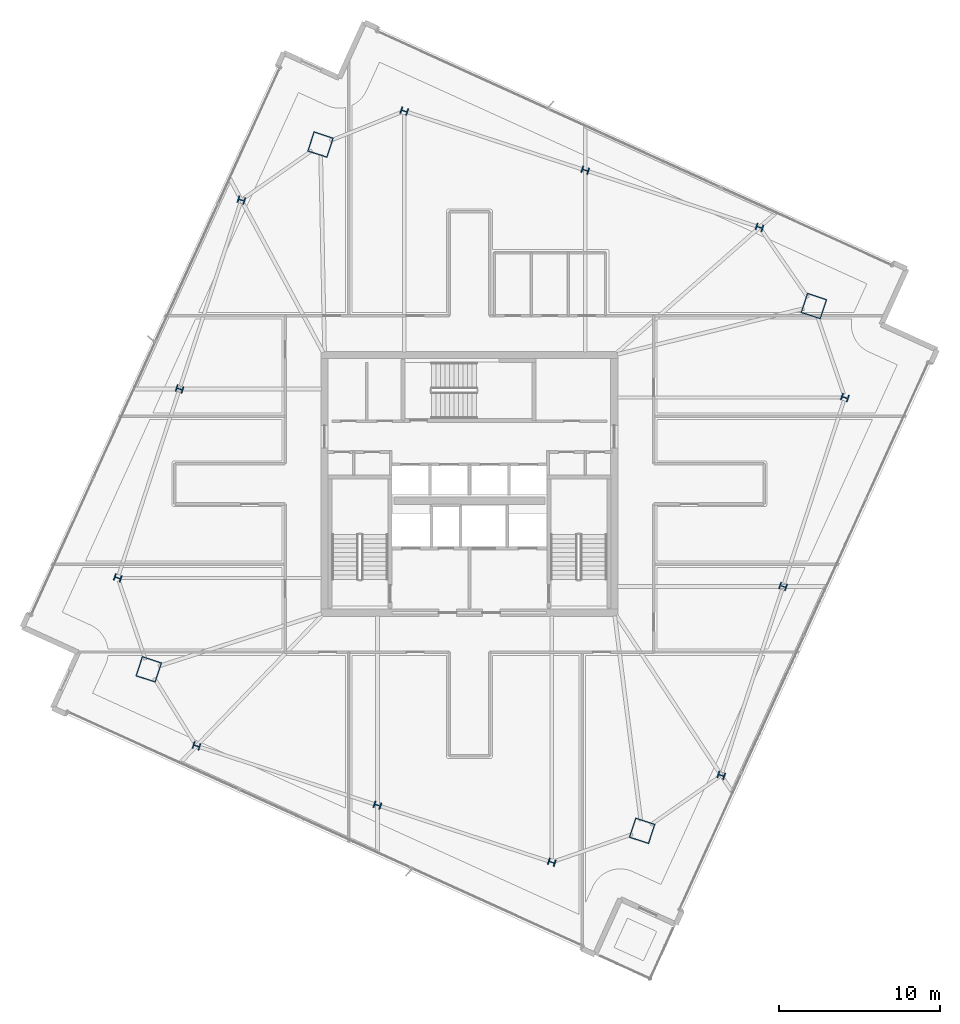
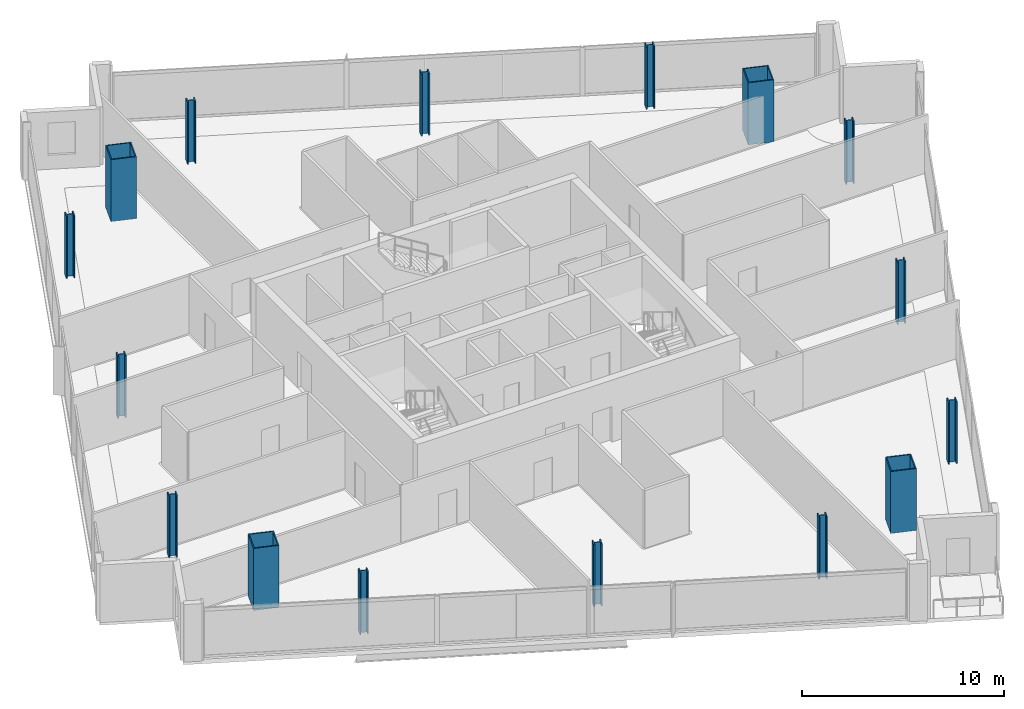
# One storey, part 1 of 26: 16 columns.
"""IFC4 building model written with IfcOpenShell, lengths in metres."""

import ifcopenshell
import ifcopenshell.guid

model = None  # the IFC model being written
_history = None  # IfcOwnerHistory: only IFC2X3 demands one
_inside = {}  # id of a spatial element -> (the spatial element, [elements in it])
_under = {}  # id of a project, library or spatial element -> (it, [spatial elements below it])
_declared = {}  # id of a project -> (the project, [libraries it declares])
_typed = {}  # id of a type object -> (the type object, [elements of that type])
_made_of = {}  # id of a material, layer set ... -> (it, [elements and type objects made of it])


def new_model(schema):
    """Start an empty IFC model of exactly this schema.

    Asked for "IFC4X3", IfcOpenShell would pick the latest addendum, in which some entities
    have other attributes; the version numbers below select the first issue.
    IFC2X3 requires an IfcOwnerHistory on every rooted entity: one is made here for all.
    """
    global model, _history
    if schema == "IFC4X3":
        model = ifcopenshell.file(schema_version=(4, 3, 0, 0))
    else:
        model = ifcopenshell.file(schema=schema)
    _inside.clear()
    _under.clear()
    _declared.clear()
    _typed.clear()
    _made_of.clear()
    _history = None
    if model.schema == "IFC2X3":
        org = make("IfcOrganization", Name="unknown")
        user = make(
            "IfcPersonAndOrganization",
            ThePerson=make("IfcPerson", FamilyName="unknown"),
            TheOrganization=org,
        )
        app = make(
            "IfcApplication",
            ApplicationDeveloper=org,
            Version="unknown",
            ApplicationFullName="unknown",
            ApplicationIdentifier="unknown",
        )
        _history = make(
            "IfcOwnerHistory",
            OwningUser=user,
            OwningApplication=app,
            ChangeAction="ADDED",
            CreationDate=0,
        )
    return model


def make(cls, **values):
    """One entity of the class cls with the attributes given. An attribute that is None is left unset."""
    return model.create_entity(
        cls, **{name: value for name, value in values.items() if value is not None}
    )


def rooted(cls, **values):
    """An entity with a GlobalId (a new one), such as an element, a storey or a relation."""
    return make(cls, GlobalId=ifcopenshell.guid.new(), OwnerHistory=_history, **values)


def si_unit(unit_type, name, prefix=None):
    """IfcSIUnit, for example si_unit("LENGTHUNIT", "METRE", prefix="MILLI")."""
    return make("IfcSIUnit", UnitType=unit_type, Prefix=prefix, Name=name)


def assignment(units):
    """IfcUnitAssignment: the units of a project."""
    return None if units is None else make("IfcUnitAssignment", Units=units)


def point(xyz):
    """IfcCartesianPoint."""
    return None if xyz is None else make("IfcCartesianPoint", Coordinates=xyz)


def direction(xyz):
    """IfcDirection."""
    return None if xyz is None else make("IfcDirection", DirectionRatios=xyz)


def frame(location, z_axis=None, x_axis=None):
    """IfcAxis2Placement3D, a coordinate frame: its origin and axes. An axis left out is left unset."""
    return make(
        "IfcAxis2Placement3D",
        Location=point(location),
        Axis=direction(z_axis),
        RefDirection=direction(x_axis),
    )


def frame_2d(location, x_axis=None):
    """IfcAxis2Placement2D, a coordinate frame in the plane: its origin and x axis."""
    return make(
        "IfcAxis2Placement2D", Location=point(location), RefDirection=direction(x_axis)
    )


def origin():
    """The frame at (0, 0, 0) with its axes left unset."""
    return frame((0.0, 0.0, 0.0))


def origin_2d():
    """The frame at (0, 0) in the plane with its x axis left unset."""
    return frame_2d((0.0, 0.0))


def place(relative_to, where):
    """IfcLocalPlacement: puts the frame where relative to a parent placement (None: the world)."""
    return make(
        "IfcLocalPlacement", PlacementRelTo=relative_to, RelativePlacement=where
    )


def context(
    kind, dimensions, precision=None, world=None, true_north=None, identifier=None
):
    """IfcGeometricRepresentationContext, for example the 3D "Model" context."""
    return make(
        "IfcGeometricRepresentationContext",
        ContextIdentifier=identifier,
        ContextType=kind,
        CoordinateSpaceDimension=dimensions,
        Precision=precision,
        WorldCoordinateSystem=world,
        TrueNorth=true_north,
    )


def subcontext(parent, identifier, kind, view, scale=None):
    """IfcGeometricRepresentationSubContext, for example "Body" below "Model"."""
    return make(
        "IfcGeometricRepresentationSubContext",
        ContextIdentifier=identifier,
        ContextType=kind,
        ParentContext=parent,
        TargetScale=scale,
        TargetView=view,
    )


def project(units=None, contexts=None):
    """IfcProject with its units and contexts."""
    return rooted(
        "IfcProject",
        Name="project",
        RepresentationContexts=contexts,
        UnitsInContext=assignment(units),
    )


def spatial(cls, under=None, at=None, **own):
    """A site, building, storey or space (cls), placed at a placement, below another one or the project."""
    s = rooted(cls, ObjectPlacement=at, **own)
    if under is not None:
        _under.setdefault(under.id(), (under, []))[1].append(s)
    return s


def profile(cls, at=None, kind="AREA", **sizes):
    """A parametric profile (cls). Its sizes go by their IFC names, for example OverallWidth=200.0."""
    return make(cls, ProfileType=kind, Position=at, **sizes)


def hollow_rectangle(**sizes):
    """IfcRectangleHollowProfileDef."""
    return profile("IfcRectangleHollowProfileDef", **sizes)


def i_section(**sizes):
    """IfcIShapeProfileDef."""
    return profile("IfcIShapeProfileDef", **sizes)


def extrude(swept, where, along, depth):
    """IfcExtrudedAreaSolid: the profile swept, set in the frame where, extruded along a direction by depth."""
    return make(
        "IfcExtrudedAreaSolid",
        SweptArea=swept,
        Position=where,
        ExtrudedDirection=direction(along),
        Depth=depth,
    )


def shape(context_of_items, identifier, shape_type, items):
    """IfcShapeRepresentation: the items that make up one representation, for example the "Body"."""
    return make(
        "IfcShapeRepresentation",
        ContextOfItems=context_of_items,
        RepresentationIdentifier=identifier,
        RepresentationType=shape_type,
        Items=items,
    )


def material(Name=None, Category=None):
    """IfcMaterial."""
    return make("IfcMaterial", Name=Name, Category=Category)


def material_profile(
    of_material, cross_section, Name=None, Category=None, Priority=None
):
    """IfcMaterialProfile: a cross section and its material."""
    return make(
        "IfcMaterialProfile",
        Name=Name,
        Material=of_material,
        Profile=cross_section,
        Priority=Priority,
        Category=Category,
    )


def profile_set(profiles, Name=None, composite=None):
    """IfcMaterialProfileSet."""
    return make(
        "IfcMaterialProfileSet",
        Name=Name,
        MaterialProfiles=profiles,
        CompositeProfile=composite,
    )


def made_of(thing, what):
    """Note that an element or type object is made of a material, layer set ...; save() writes the relation."""
    if what is not None:
        _made_of.setdefault(what.id(), (what, []))[1].append(thing)
    return thing


def type_object(cls, material=None, **own):
    """A type object (cls), such as IfcWallType, which elements share."""
    return made_of(rooted(cls, **own), material)


def element(
    cls,
    number,
    at=None,
    inside=None,
    cuts=None,
    type_object=None,
    material=None,
    context=None,
    identifier="Body",
    shape_type=None,
    held_by="IfcProductDefinitionShape",
    body=None,
    shapes=None,
    **own,
):
    """One element of the class cls, such as IfcWall. Its Tag is "e" and its number.

    at: its placement. inside: the storey or other place that contains it. cuts: it is an
    opening in that element (IfcRelVoidsElement). A single representation is given by context,
    identifier, shape_type and body (its items); several are given by shapes. held_by: the class
    of the entity that holds the representations. save() writes the other relations.
    """
    e = rooted(cls, Tag="e%d" % number, ObjectPlacement=at, **own)
    if body is not None:
        shapes = [shape(context, identifier, shape_type, body)]
    if shapes is not None:
        e.Representation = make(held_by, Representations=shapes)
    if inside is not None:
        _inside.setdefault(inside.id(), (inside, []))[1].append(e)
    if cuts is not None:
        rooted(
            "IfcRelVoidsElement", RelatingBuildingElement=cuts, RelatedOpeningElement=e
        )
    if type_object is not None:
        _typed.setdefault(type_object.id(), (type_object, []))[1].append(e)
    return made_of(e, material)


def aggregate(whole, parts):
    """IfcRelAggregates: a whole, such as a stair, and the parts it consists of."""
    return rooted("IfcRelAggregates", RelatingObject=whole, RelatedObjects=parts)


def save(model, path):
    """Write the relations noted so far, then the file.

    IfcRelAggregates (storeys below a building ...), IfcRelContainedInSpatialStructure (elements
    in a storey), IfcRelDefinesByType, IfcRelAssociatesMaterial and IfcRelDeclares: one each for
    every whole, place, type object, material and project.
    """
    for whole, parts in _under.values():
        aggregate(whole, parts)
    for where, things in _inside.values():
        rooted(
            "IfcRelContainedInSpatialStructure",
            RelatedElements=things,
            RelatingStructure=where,
        )
    for kind, things in _typed.values():
        rooted("IfcRelDefinesByType", RelatedObjects=things, RelatingType=kind)
    for what, things in _made_of.values():
        rooted("IfcRelAssociatesMaterial", RelatedObjects=things, RelatingMaterial=what)
    for by, libraries in _declared.values():
        rooted("IfcRelDeclares", RelatingContext=by, RelatedDefinitions=libraries)
    model.write(path)


model = new_model("IFC4")

# Units and contexts
model_context = context("Model", 3, precision=1e-05, world=origin(), true_north=direction((0.0, 1.0)))
body_context = subcontext(model_context, "Body", "Model", "MODEL_VIEW")
ifc_project = project(units=[si_unit("LENGTHUNIT", "METRE"), si_unit("AREAUNIT", "SQUARE_METRE"), si_unit("VOLUMEUNIT", "CUBIC_METRE"), si_unit("PLANEANGLEUNIT", "RADIAN"), si_unit("MASSUNIT", "GRAM", prefix="KILO")], contexts=[model_context])

# Site, building, storey
site_placement = place(None, origin())
site = spatial("IfcSite", under=ifc_project, at=site_placement, CompositionType="ELEMENT")
building_placement = place(site_placement, origin())
building = spatial("IfcBuilding", under=site, at=building_placement, Name="Haldenkirk Collegiate Tower", CompositionType="ELEMENT")
storey_placement = place(building_placement, frame((0.0, 0.0, 248.699951171875)))
storey = spatial("IfcBuildingStorey", under=building, at=storey_placement, Name="L62", CompositionType="ELEMENT", Elevation=248.699951171875)

# Columns
ifc_material_1 = material(Name="Steel ASTM A913 Grade 65", Category="steel")
ifc_material_profile_1 = material_profile(ifc_material_1, i_section(OverallWidth=0.416015625, OverallDepth=0.445068359375, WebThickness=0.0390625, FlangeThickness=0.062744140625, at=origin_2d()), Name="W14X342")
ifc_profile_set_1 = profile_set([ifc_material_profile_1], Name="Steel ASTM A913 Grade 65")
column_type_1 = type_object("IfcColumnType", Name="COL-INT-W14X342", PredefinedType="COLUMN", material=ifc_profile_set_1)
for number, where, z_axis, x_axis, name in (
    (1, (51.64306640625, 7.888671875, 0.0), (0.0, 0.0, 1.0), (0.311008203279, 0.950407227189, 0.0), "L62 perimeter gravity column PC-S1"),
    (2, (55.4833984375, 19.624267578125, 0.0), (0.0, 0.0, 1.0), (0.311008203279, 0.950407227189, 0.0), "L62 perimeter gravity column PC-S2"),
    (3, (59.32373046875, 31.360107421875, 0.0), (0.0, 0.0, 1.0), (0.311008203279, 0.950407227189, 0.0), "L62 perimeter gravity column PC-S3"),
    (4, (54.01806640625, 41.9365234375, 0.0), (0.0, 0.0, 1.0), (0.311008203279, 0.950407227189, 0.0), "L62 perimeter gravity column PC-E1"),
    (5, (43.18994140625, 45.47998046875, 0.0), (0.0, 0.0, 1.0), (0.311008203279, 0.950407227189, 0.0), "L62 perimeter gravity column PC-E2"),
    (6, (31.949462890625, 49.158203125, 0.0), (0.0, 0.0, 1.0), (0.311008203279, 0.950407227189, 0.0), "L62 perimeter gravity column PC-E3"),
    (7, (21.830078125, 43.629150390625, 0.0), (0.0, 0.0, 1.0), (0.311008203279, 0.950407227189, 0.0), "L62 perimeter gravity column PC-N1"),
    (8, (17.98974609375, 31.8935546875, 0.0), (0.0, 0.0, 1.0), (0.311008203279, 0.950407227189, 0.0), "L62 perimeter gravity column PC-N2"),
    (9, (14.1494140625, 20.157958984375, 0.0), (0.0, 0.0, 1.0), (0.311008203279, 0.950407227189, 0.0), "L62 perimeter gravity column PC-N3"),
    (10, (19.042724609375, 9.71630859375, 0.0), (0.0, 0.0, 1.0), (0.311008203279, 0.950407227189, 0.0), "L62 perimeter gravity column PC-W1"),
    (11, (30.283203125, 6.0380859375, 0.0), (0.0, 0.0, 1.0), (0.311008203279, 0.950407227189, 0.0), "L62 perimeter gravity column PC-W2"),
    (12, (41.111083984375, 2.49462890625, 0.0), (0.0, 0.0, 1.0), (0.311008203279, 0.950407227189, 0.0), "L62 perimeter gravity column PC-W3"),
):
    element("IfcColumn", number, at=place(storey_placement, frame(where, z_axis=z_axis, x_axis=x_axis)), inside=storey, type_object=column_type_1, Name=name, PredefinedType="COLUMN", context=body_context, shape_type="SweptSolid", body=[
        extrude(i_section(OverallWidth=0.416015625, OverallDepth=0.445068359375, WebThickness=0.0390625, FlangeThickness=0.062744140625, at=origin_2d()), origin(), (0.0, 0.0, 1.0), 3.75),
    ])
ifc_material_2 = material(Name="Steel ASTM A572 Grade 50", Category="steel")
ifc_material_profile_2 = material_profile(ifc_material_2, hollow_rectangle(XDim=1.300048828125, YDim=1.300048828125, WallThickness=0.06005859375, at=origin_2d()), Name="BOX1300X1300X60")
ifc_profile_set_2 = profile_set([ifc_material_profile_2], Name="Steel ASTM A572 Grade 50")
column_type_2 = type_object("IfcColumnType", Name="COL-MEGA-BOX1300X1300X60", PredefinedType="COLUMN", material=ifc_profile_set_2)
for number, where, z_axis, x_axis, name in (
    (13, (46.72802734375, 4.444580078125, 0.0), (0.0, 0.0, 1.0), (0.311008203279, 0.950407227189, 0.0), "L62 corner mega-column MC1"),
    (14, (57.395751953125, 37.04345703125, 0.0), (0.0, 0.0, 1.0), (0.311008203279, 0.950407227189, 0.0), "L62 corner mega-column MC2"),
    (15, (26.7451171875, 47.073486328125, 0.0), (0.0, 0.0, 1.0), (0.311008203279, 0.950407227189, 0.0), "L62 corner mega-column MC3"),
    (16, (16.077392578125, 14.474609375, 0.0), (0.0, 0.0, 1.0), (0.311008203279, 0.950407227189, 0.0), "L62 corner mega-column MC4"),
):
    element("IfcColumn", number, at=place(storey_placement, frame(where, z_axis=z_axis, x_axis=x_axis)), inside=storey, type_object=column_type_2, Name=name, PredefinedType="COLUMN", context=body_context, shape_type="SweptSolid", body=[
        extrude(hollow_rectangle(XDim=1.300048828125, YDim=1.300048828125, WallThickness=0.06005859375, at=origin_2d()), origin(), (0.0, 0.0, 1.0), 3.75),
    ])

save(model, "model.ifc")
